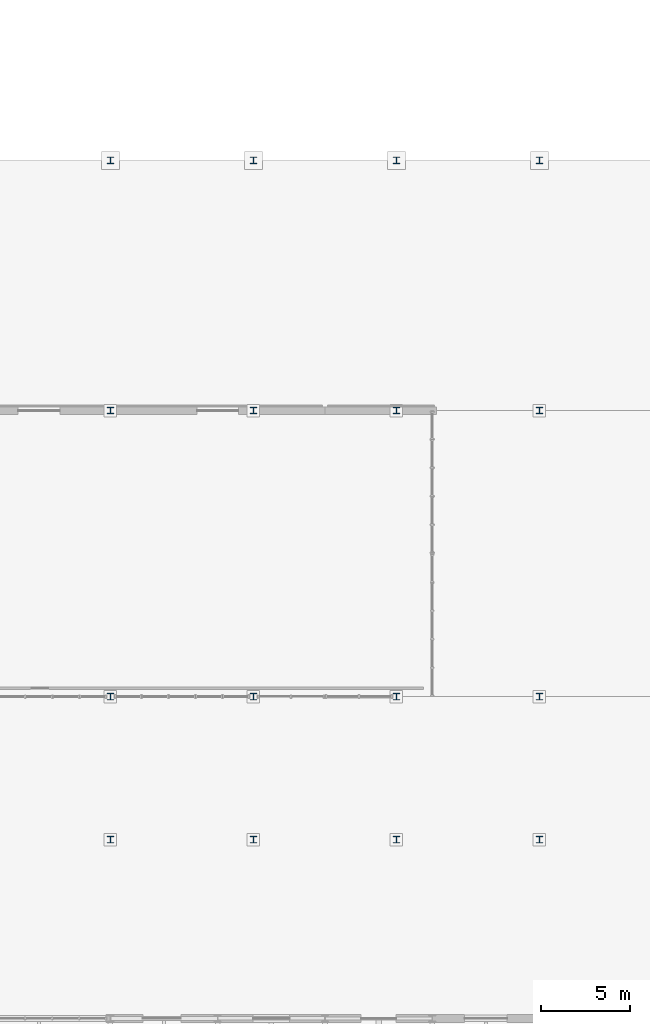
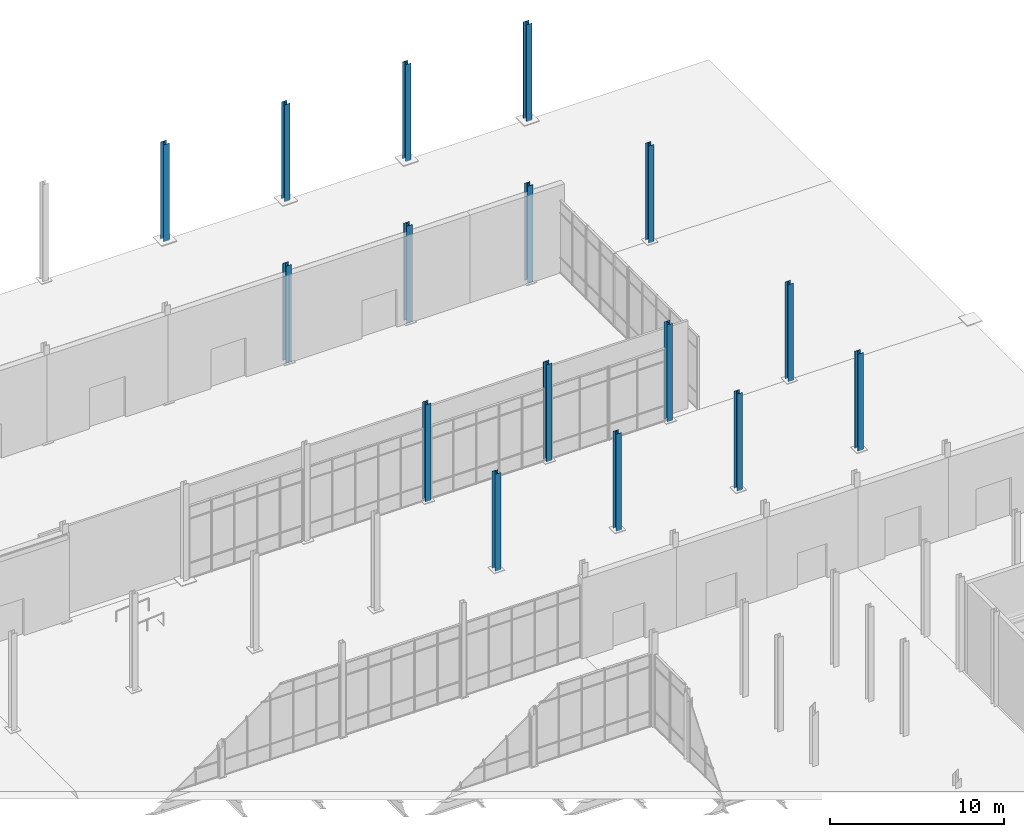
# One storey, part 19 of 140: 16 columns.
"""IFC4 building model written with IfcOpenShell, lengths in metres."""

from ifc_helpers import new_model, si_unit, direction, frame, origin, origin_2d, place, context, subcontext, project, spatial, i_section, extrude, material, material_profile, profile_set, type_object, element, save


model = new_model("IFC4")

# Units and contexts
model_context = context("Model", 3, precision=1e-05, world=origin(), true_north=direction((0.0, 1.0)))
body_context = subcontext(model_context, "Body", "Model", "MODEL_VIEW")
ifc_project = project(units=[si_unit("LENGTHUNIT", "METRE"), si_unit("AREAUNIT", "SQUARE_METRE"), si_unit("VOLUMEUNIT", "CUBIC_METRE"), si_unit("PLANEANGLEUNIT", "RADIAN"), si_unit("MASSUNIT", "GRAM", prefix="KILO")], contexts=[model_context])

# Site, building, storey
site_placement = place(None, origin())
site = spatial("IfcSite", under=ifc_project, at=site_placement, CompositionType="ELEMENT")
building_placement = place(site_placement, origin())
building = spatial("IfcBuilding", under=site, at=building_placement, Name="Verrall Gate Interchange", CompositionType="ELEMENT")
storey_placement = place(building_placement, origin())
storey = spatial("IfcBuildingStorey", under=building, at=storey_placement, Name="L01", CompositionType="ELEMENT", Elevation=0.0)

# Columns
ifc_material = material(Name="Structural Steel CSA G40.21 350W", Category="steel")
ifc_material_profile = material_profile(ifc_material, i_section(OverallWidth=0.368896484375, OverallDepth=0.35595703125, WebThickness=0.01123046875, FlangeThickness=0.01806640625, FilletRadius=0.014892578125, at=origin_2d()), Name="W360x134")
ifc_profile_set = profile_set([ifc_material_profile], Name="Structural Steel CSA G40.21 350W")
column_type = type_object("IfcColumnType", Name="C-08 Column W360x134", PredefinedType="COLUMN", material=ifc_profile_set)
for number, where, z_axis, x_axis, name in (
    (1, (132.0, 66.0, 0.0), (0.0, 0.0, 1.0), (1.0, 0.0, 0.0), "Bus Concourse Steel Column 1556"),
    (2, (140.0, 66.0, 0.0), (0.0, 0.0, 1.0), (1.0, 0.0, 0.0), "Bus Concourse Steel Column 1558"),
    (3, (148.0, 66.0, 0.0), (0.0, 0.0, 1.0), (1.0, 0.0, 0.0), "Bus Concourse Steel Column 1560"),
    (4, (156.0, 66.0, 0.0), (0.0, 0.0, 1.0), (1.0, 0.0, 0.0), "Bus Concourse Steel Column 1562"),
    (5, (132.0, 74.0, 0.0), (0.0, 0.0, 1.0), (1.0, 0.0, 0.0), "Bus Concourse Steel Column 1574"),
    (6, (140.0, 74.0, 0.0), (0.0, 0.0, 1.0), (1.0, 0.0, 0.0), "Bus Concourse Steel Column 1576"),
    (7, (148.0, 74.0, 0.0), (0.0, 0.0, 1.0), (1.0, 0.0, 0.0), "Bus Concourse Steel Column 1578"),
    (8, (156.0, 74.0, 0.0), (0.0, 0.0, 1.0), (1.0, 0.0, 0.0), "Bus Concourse Steel Column 1580"),
    (9, (132.0, 90.0, 0.0), (0.0, 0.0, 1.0), (1.0, 0.0, 0.0), "Bus Concourse Steel Column 1604"),
    (10, (140.0, 90.0, 0.0), (0.0, 0.0, 1.0), (1.0, 0.0, 0.0), "Bus Concourse Steel Column 1606"),
    (11, (148.0, 90.0, 0.0), (0.0, 0.0, 1.0), (1.0, 0.0, 0.0), "Bus Concourse Steel Column 1608"),
    (12, (156.0, 90.0, 0.0), (0.0, 0.0, 1.0), (1.0, 0.0, 0.0), "Bus Concourse Steel Column 1610"),
    (13, (132.0, 104.0, 0.0), (0.0, 0.0, 1.0), (1.0, 0.0, 0.0), "Bus Concourse Steel Column 1642"),
    (14, (140.0, 104.0, 0.0), (0.0, 0.0, 1.0), (1.0, 0.0, 0.0), "Bus Concourse Steel Column 1644"),
    (15, (148.0, 104.0, 0.0), (0.0, 0.0, 1.0), (1.0, 0.0, 0.0), "Bus Concourse Steel Column 1646"),
    (16, (156.0, 104.0, 0.0), (0.0, 0.0, 1.0), (1.0, 0.0, 0.0), "Bus Concourse Steel Column 1648"),
):
    element("IfcColumn", number, at=place(storey_placement, frame(where, z_axis=z_axis, x_axis=x_axis)), inside=storey, type_object=column_type, Name=name, PredefinedType="COLUMN", context=body_context, shape_type="SweptSolid", body=[
        extrude(i_section(OverallWidth=0.368896484375, OverallDepth=0.35595703125, WebThickness=0.01123046875, FlangeThickness=0.01806640625, FilletRadius=0.014892578125, at=origin_2d()), origin(), (0.0, 0.0, 1.0), 6.800048828125),
    ])

save(model, "model.ifc")
